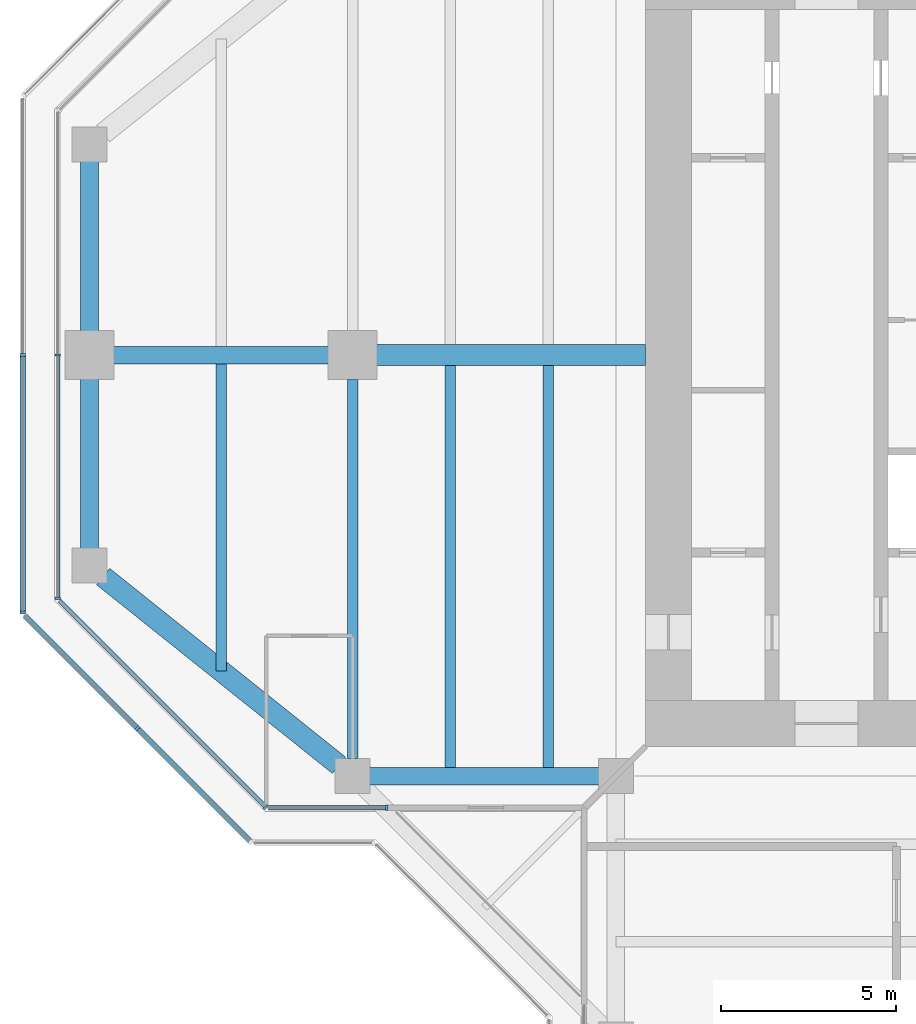
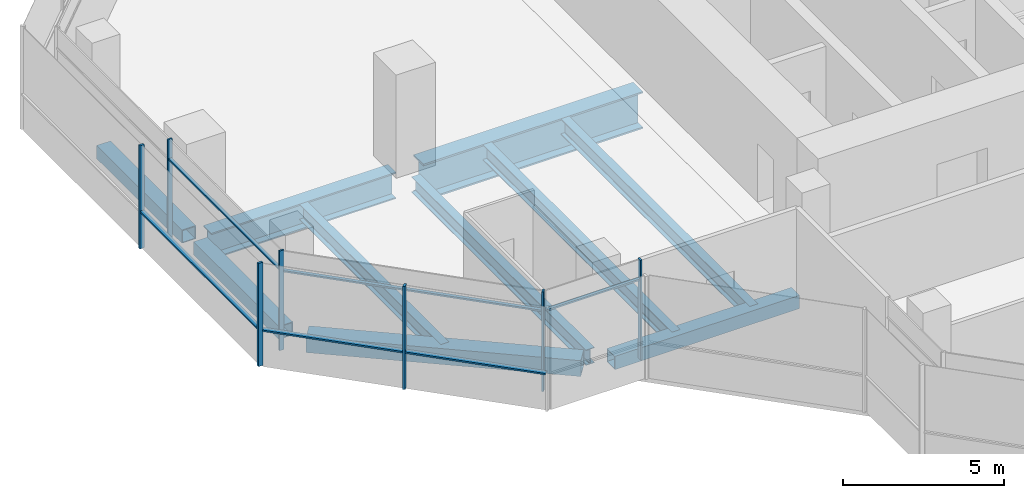
# One storey, part 3 of 15: 13 members, 10 beams, 5 elements without a shape of their own.
"""IFC4 building model written with IfcOpenShell, lengths in metres."""

import ifcopenshell
import ifcopenshell.guid

model = None  # the IFC model being written
_history = None  # IfcOwnerHistory: only IFC2X3 demands one
_inside = {}  # id of a spatial element -> (the spatial element, [elements in it])
_under = {}  # id of a project, library or spatial element -> (it, [spatial elements below it])
_declared = {}  # id of a project -> (the project, [libraries it declares])
_typed = {}  # id of a type object -> (the type object, [elements of that type])
_made_of = {}  # id of a material, layer set ... -> (it, [elements and type objects made of it])


def new_model(schema):
    """Start an empty IFC model of exactly this schema.

    Asked for "IFC4X3", IfcOpenShell would pick the latest addendum, in which some entities
    have other attributes; the version numbers below select the first issue.
    IFC2X3 requires an IfcOwnerHistory on every rooted entity: one is made here for all.
    """
    global model, _history
    if schema == "IFC4X3":
        model = ifcopenshell.file(schema_version=(4, 3, 0, 0))
    else:
        model = ifcopenshell.file(schema=schema)
    _inside.clear()
    _under.clear()
    _declared.clear()
    _typed.clear()
    _made_of.clear()
    _history = None
    if model.schema == "IFC2X3":
        org = make("IfcOrganization", Name="unknown")
        user = make(
            "IfcPersonAndOrganization",
            ThePerson=make("IfcPerson", FamilyName="unknown"),
            TheOrganization=org,
        )
        app = make(
            "IfcApplication",
            ApplicationDeveloper=org,
            Version="unknown",
            ApplicationFullName="unknown",
            ApplicationIdentifier="unknown",
        )
        _history = make(
            "IfcOwnerHistory",
            OwningUser=user,
            OwningApplication=app,
            ChangeAction="ADDED",
            CreationDate=0,
        )
    return model


def make(cls, **values):
    """One entity of the class cls with the attributes given. An attribute that is None is left unset."""
    return model.create_entity(
        cls, **{name: value for name, value in values.items() if value is not None}
    )


def rooted(cls, **values):
    """An entity with a GlobalId (a new one), such as an element, a storey or a relation."""
    return make(cls, GlobalId=ifcopenshell.guid.new(), OwnerHistory=_history, **values)


def si_unit(unit_type, name, prefix=None):
    """IfcSIUnit, for example si_unit("LENGTHUNIT", "METRE", prefix="MILLI")."""
    return make("IfcSIUnit", UnitType=unit_type, Prefix=prefix, Name=name)


def assignment(units):
    """IfcUnitAssignment: the units of a project."""
    return None if units is None else make("IfcUnitAssignment", Units=units)


def point(xyz):
    """IfcCartesianPoint."""
    return None if xyz is None else make("IfcCartesianPoint", Coordinates=xyz)


def direction(xyz):
    """IfcDirection."""
    return None if xyz is None else make("IfcDirection", DirectionRatios=xyz)


def frame(location, z_axis=None, x_axis=None):
    """IfcAxis2Placement3D, a coordinate frame: its origin and axes. An axis left out is left unset."""
    return make(
        "IfcAxis2Placement3D",
        Location=point(location),
        Axis=direction(z_axis),
        RefDirection=direction(x_axis),
    )


def frame_2d(location, x_axis=None):
    """IfcAxis2Placement2D, a coordinate frame in the plane: its origin and x axis."""
    return make(
        "IfcAxis2Placement2D", Location=point(location), RefDirection=direction(x_axis)
    )


def origin():
    """The frame at (0, 0, 0) with its axes left unset."""
    return frame((0.0, 0.0, 0.0))


def origin_2d():
    """The frame at (0, 0) in the plane with its x axis left unset."""
    return frame_2d((0.0, 0.0))


def place(relative_to, where):
    """IfcLocalPlacement: puts the frame where relative to a parent placement (None: the world)."""
    return make(
        "IfcLocalPlacement", PlacementRelTo=relative_to, RelativePlacement=where
    )


def context(
    kind, dimensions, precision=None, world=None, true_north=None, identifier=None
):
    """IfcGeometricRepresentationContext, for example the 3D "Model" context."""
    return make(
        "IfcGeometricRepresentationContext",
        ContextIdentifier=identifier,
        ContextType=kind,
        CoordinateSpaceDimension=dimensions,
        Precision=precision,
        WorldCoordinateSystem=world,
        TrueNorth=true_north,
    )


def subcontext(parent, identifier, kind, view, scale=None):
    """IfcGeometricRepresentationSubContext, for example "Body" below "Model"."""
    return make(
        "IfcGeometricRepresentationSubContext",
        ContextIdentifier=identifier,
        ContextType=kind,
        ParentContext=parent,
        TargetScale=scale,
        TargetView=view,
    )


def project(units=None, contexts=None):
    """IfcProject with its units and contexts."""
    return rooted(
        "IfcProject",
        Name="project",
        RepresentationContexts=contexts,
        UnitsInContext=assignment(units),
    )


def spatial(cls, under=None, at=None, **own):
    """A site, building, storey or space (cls), placed at a placement, below another one or the project."""
    s = rooted(cls, ObjectPlacement=at, **own)
    if under is not None:
        _under.setdefault(under.id(), (under, []))[1].append(s)
    return s


def profile(cls, at=None, kind="AREA", **sizes):
    """A parametric profile (cls). Its sizes go by their IFC names, for example OverallWidth=200.0."""
    return make(cls, ProfileType=kind, Position=at, **sizes)


def rectangle(**sizes):
    """IfcRectangleProfileDef."""
    return profile("IfcRectangleProfileDef", **sizes)


def hollow_rectangle(**sizes):
    """IfcRectangleHollowProfileDef."""
    return profile("IfcRectangleHollowProfileDef", **sizes)


def i_section(**sizes):
    """IfcIShapeProfileDef."""
    return profile("IfcIShapeProfileDef", **sizes)


def extrude(swept, where, along, depth):
    """IfcExtrudedAreaSolid: the profile swept, set in the frame where, extruded along a direction by depth."""
    return make(
        "IfcExtrudedAreaSolid",
        SweptArea=swept,
        Position=where,
        ExtrudedDirection=direction(along),
        Depth=depth,
    )


def shape(context_of_items, identifier, shape_type, items):
    """IfcShapeRepresentation: the items that make up one representation, for example the "Body"."""
    return make(
        "IfcShapeRepresentation",
        ContextOfItems=context_of_items,
        RepresentationIdentifier=identifier,
        RepresentationType=shape_type,
        Items=items,
    )


def material(Name=None, Category=None):
    """IfcMaterial."""
    return make("IfcMaterial", Name=Name, Category=Category)


def material_profile(
    of_material, cross_section, Name=None, Category=None, Priority=None
):
    """IfcMaterialProfile: a cross section and its material."""
    return make(
        "IfcMaterialProfile",
        Name=Name,
        Material=of_material,
        Profile=cross_section,
        Priority=Priority,
        Category=Category,
    )


def profile_set(profiles, Name=None, composite=None):
    """IfcMaterialProfileSet."""
    return make(
        "IfcMaterialProfileSet",
        Name=Name,
        MaterialProfiles=profiles,
        CompositeProfile=composite,
    )


def made_of(thing, what):
    """Note that an element or type object is made of a material, layer set ...; save() writes the relation."""
    if what is not None:
        _made_of.setdefault(what.id(), (what, []))[1].append(thing)
    return thing


def type_object(cls, material=None, **own):
    """A type object (cls), such as IfcWallType, which elements share."""
    return made_of(rooted(cls, **own), material)


def element(
    cls,
    number,
    at=None,
    inside=None,
    cuts=None,
    type_object=None,
    material=None,
    context=None,
    identifier="Body",
    shape_type=None,
    held_by="IfcProductDefinitionShape",
    body=None,
    shapes=None,
    **own,
):
    """One element of the class cls, such as IfcWall. Its Tag is "e" and its number.

    at: its placement. inside: the storey or other place that contains it. cuts: it is an
    opening in that element (IfcRelVoidsElement). A single representation is given by context,
    identifier, shape_type and body (its items); several are given by shapes. held_by: the class
    of the entity that holds the representations. save() writes the other relations.
    """
    e = rooted(cls, Tag="e%d" % number, ObjectPlacement=at, **own)
    if body is not None:
        shapes = [shape(context, identifier, shape_type, body)]
    if shapes is not None:
        e.Representation = make(held_by, Representations=shapes)
    if inside is not None:
        _inside.setdefault(inside.id(), (inside, []))[1].append(e)
    if cuts is not None:
        rooted(
            "IfcRelVoidsElement", RelatingBuildingElement=cuts, RelatedOpeningElement=e
        )
    if type_object is not None:
        _typed.setdefault(type_object.id(), (type_object, []))[1].append(e)
    return made_of(e, material)


def aggregate(whole, parts):
    """IfcRelAggregates: a whole, such as a stair, and the parts it consists of."""
    return rooted("IfcRelAggregates", RelatingObject=whole, RelatedObjects=parts)


def save(model, path):
    """Write the relations noted so far, then the file.

    IfcRelAggregates (storeys below a building ...), IfcRelContainedInSpatialStructure (elements
    in a storey), IfcRelDefinesByType, IfcRelAssociatesMaterial and IfcRelDeclares: one each for
    every whole, place, type object, material and project.
    """
    for whole, parts in _under.values():
        aggregate(whole, parts)
    for where, things in _inside.values():
        rooted(
            "IfcRelContainedInSpatialStructure",
            RelatedElements=things,
            RelatingStructure=where,
        )
    for kind, things in _typed.values():
        rooted("IfcRelDefinesByType", RelatedObjects=things, RelatingType=kind)
    for what, things in _made_of.values():
        rooted("IfcRelAssociatesMaterial", RelatedObjects=things, RelatingMaterial=what)
    for by, libraries in _declared.values():
        rooted("IfcRelDeclares", RelatingContext=by, RelatedDefinitions=libraries)
    model.write(path)


model = new_model("IFC4")

# Units and contexts
model_context = context("Model", 3, precision=1e-05, world=origin(), true_north=direction((0.0, 1.0)))
body_context = subcontext(model_context, "Body", "Model", "MODEL_VIEW")
ifc_project = project(units=[si_unit("LENGTHUNIT", "METRE"), si_unit("AREAUNIT", "SQUARE_METRE"), si_unit("VOLUMEUNIT", "CUBIC_METRE"), si_unit("PLANEANGLEUNIT", "RADIAN"), si_unit("MASSUNIT", "GRAM", prefix="KILO")], contexts=[model_context])

# Site, building, storey
site_placement = place(None, origin())
site = spatial("IfcSite", under=ifc_project, at=site_placement, CompositionType="ELEMENT")
building_placement = place(site_placement, origin())
building = spatial("IfcBuilding", under=site, at=building_placement, Name="Mizan Broadcast Tower", CompositionType="ELEMENT")
storey_placement = place(building_placement, frame((0.0, 0.0, 282.89990234375)))
storey = spatial("IfcBuildingStorey", under=building, at=storey_placement, Name="L67", CompositionType="ELEMENT", Elevation=282.89990234375)

# Beams
ifc_material_1 = material(Name="Steel S355", Category="steel")
ifc_material_profile_1 = material_profile(ifc_material_1, hollow_rectangle(XDim=0.5, YDim=0.5, WallThickness=0.030029296875, at=origin_2d()), Name="BOX 500x500x30")
ifc_profile_set_1 = profile_set([ifc_material_profile_1], Name="Steel S355")
beam_type_1 = type_object("IfcBeamType", Name="EDGE BEAM BOX 500x500x30", PredefinedType="SPANDREL", material=ifc_profile_set_1)
beam_1_placement = place(storey_placement, frame((-27.0, 5.639892578125, -0.3798828125), z_axis=(0.0, -1.0, 0.0), x_axis=(1.0, 0.0, 0.0)))
element("IfcBeam", 1, at=beam_1_placement, inside=storey, type_object=beam_type_1, Name="Edge beam BOX 500x500x30 L67 west arm", PredefinedType="SPANDREL", context=body_context, shape_type="SweptSolid", body=[
    extrude(hollow_rectangle(XDim=0.5, YDim=0.5, WallThickness=0.030029296875, at=origin_2d()), origin(), (0.0, 0.0, 1.0), 5.27978515625),
])
beam_2_placement = place(storey_placement, frame((-12.449951171875, -12.0, -0.3798828125), z_axis=(-1.0, 0.0, 0.0), x_axis=(0.0, -1.0, 0.0)))
element("IfcBeam", 2, at=beam_2_placement, inside=storey, type_object=beam_type_1, Name="Edge beam BOX 500x500x30 L67 west arm", PredefinedType="SPANDREL", context=body_context, shape_type="SweptSolid", body=[
    extrude(hollow_rectangle(XDim=0.5, YDim=0.5, WallThickness=0.030029296875, at=origin_2d()), origin(), (0.0, 0.0, 1.0), 6.60009765625),
])
beam_3_placement = place(storey_placement, frame((-27.0, -5.639892578125, -0.3798828125), z_axis=(0.0, 1.0, 0.0), x_axis=(-1.0, 0.0, 0.0)))
element("IfcBeam", 3, at=beam_3_placement, inside=storey, type_object=beam_type_1, Name="Edge beam BOX 500x500x30 L67 west arm", PredefinedType="SPANDREL", context=body_context, shape_type="SweptSolid", body=[
    extrude(hollow_rectangle(XDim=0.5, YDim=0.5, WallThickness=0.030029296875, at=origin_2d()), origin(), (0.0, 0.0, 1.0), 5.27978515625),
])
ifc_material_2 = material(Name="Steel S355", Category="steel")
ifc_material_profile_2 = material_profile(ifc_material_2, hollow_rectangle(XDim=0.60009765625, YDim=0.60009765625, WallThickness=0.030029296875, at=origin_2d()), Name="BOX 600x600x30")
ifc_profile_set_2 = profile_set([ifc_material_profile_2], Name="Steel S355")
beam_type_2 = type_object("IfcBeamType", Name="EDGE BEAM BOX 600x600x30", PredefinedType="SPANDREL", material=ifc_profile_set_2)
beam_4_placement = place(storey_placement, frame((-19.890380859375, -11.687744140625, -0.429931640625), z_axis=(-0.780863273348, 0.62470196761, 0.0), x_axis=(-0.62470196761, -0.780863273348, 0.0)))
element("IfcBeam", 4, at=beam_4_placement, inside=storey, type_object=beam_type_2, Name="Edge beam BOX 600x600x30 L67 west arm", PredefinedType="SPANDREL", context=body_context, shape_type="SweptSolid", body=[
    extrude(hollow_rectangle(XDim=0.60009765625, YDim=0.60009765625, WallThickness=0.030029296875, at=origin_2d()), origin(), (0.0, 0.0, 1.0), 8.60498046875),
])
ifc_material_3 = material(Name="Steel S355", Category="steel")
ifc_material_profile_3 = material_profile(ifc_material_3, i_section(OverallWidth=0.300048828125, OverallDepth=0.590087890625, WebThickness=0.012939453125, FlangeThickness=0.02490234375, FilletRadius=0.027099609375, at=origin_2d()), Name="HEA 600")
ifc_profile_set_3 = profile_set([ifc_material_profile_3], Name="Steel S355")
beam_type_3 = type_object("IfcBeamType", Name="GIRDER HEA 600", PredefinedType="BEAM", material=ifc_profile_set_3)
beam_5_placement = place(storey_placement, frame((-19.5, -11.5, -0.4248046875), z_axis=(0.0, 1.0, 0.0), x_axis=(-1.0, 0.0, 0.0)))
element("IfcBeam", 5, at=beam_5_placement, inside=storey, type_object=beam_type_3, Name="Girder HEA 600 L67 west arm", PredefinedType="BEAM", context=body_context, shape_type="SweptSolid", body=[
    extrude(i_section(OverallWidth=0.300048828125, OverallDepth=0.590087890625, WebThickness=0.012939453125, FlangeThickness=0.02490234375, FilletRadius=0.027099609375, at=origin_2d()), origin(), (0.0, 0.0, 1.0), 10.800048828125),
])
ifc_material_4 = material(Name="Steel S460", Category="steel")
ifc_material_profile_4 = material_profile(ifc_material_4, i_section(OverallWidth=0.5, OverallDepth=1.0, WebThickness=0.02490234375, FlangeThickness=0.050048828125, at=origin_2d()), Name="WPG 1000x500")
ifc_profile_set_4 = profile_set([ifc_material_profile_4], Name="Steel S460")
beam_type_4 = type_object("IfcBeamType", Name="GIRDER WPG 1000x500", PredefinedType="BEAM", material=ifc_profile_set_4)
beam_6_placement = place(storey_placement, frame((-19.949951171875, 0.0, -0.6298828125), z_axis=(-1.0, 0.0, 0.0), x_axis=(0.0, -1.0, 0.0)))
element("IfcBeam", 6, at=beam_6_placement, inside=storey, type_object=beam_type_4, Name="Girder WPG 1000x500 L67 west arm", PredefinedType="BEAM", context=body_context, shape_type="SweptSolid", body=[
    extrude(i_section(OverallWidth=0.5, OverallDepth=1.0, WebThickness=0.02490234375, FlangeThickness=0.050048828125, at=origin_2d()), origin(), (0.0, 0.0, 1.0), 6.60009765625),
])
ifc_material_5 = material(Name="Steel S460", Category="steel")
ifc_material_profile_5 = material_profile(ifc_material_5, i_section(OverallWidth=0.60009765625, OverallDepth=1.39990234375, WebThickness=0.02490234375, FlangeThickness=0.06005859375, at=origin_2d()), Name="WPG 1400x600")
ifc_profile_set_5 = profile_set([ifc_material_profile_5], Name="Steel S460")
beam_type_5 = type_object("IfcBeamType", Name="GIRDER WPG 1400x600", PredefinedType="BEAM", material=ifc_profile_set_5)
beam_7_placement = place(storey_placement, frame((-11.14990234375, 0.0, -0.829833984375), z_axis=(-1.0, 0.0, 0.0), x_axis=(0.0, -1.0, 0.0)))
element("IfcBeam", 7, at=beam_7_placement, inside=storey, type_object=beam_type_5, Name="Girder WPG 1400x600 L67 west arm", PredefinedType="BEAM", context=body_context, shape_type="SweptSolid", body=[
    extrude(i_section(OverallWidth=0.60009765625, OverallDepth=1.39990234375, WebThickness=0.02490234375, FlangeThickness=0.06005859375, at=origin_2d()), origin(), (0.0, 0.0, 1.0), 7.84912109375),
])

# Curtain wall, members
ifc_material_6 = material(Name="Aluminium framed glazing", Category="aluminium")
curtain_wall_type_1 = type_object("IfcCurtainWallType", Name="INNER SKIN TOP ZONE", PredefinedType="USERDEFINED", material=ifc_material_6)
curtain_wall_1_placement = place(storey_placement, origin())
curtain_wall_1 = element("IfcCurtainWall", 8, at=curtain_wall_1_placement, inside=storey, type_object=curtain_wall_type_1, Name="Inner skin top zone L67 W end", ObjectType="INNER SKIN TOP ZONE", PredefinedType="USERDEFINED")
ifc_material_7 = material(Name="Aluminium, pale anodised", Category="aluminium")
ifc_material_profile_6 = material_profile(ifc_material_7, rectangle(XDim=0.159912109375, YDim=0.06005859375, at=origin_2d()), Name="MULLION 160x60")
ifc_profile_set_6 = profile_set([ifc_material_profile_6], Name="Aluminium, pale anodised")
member_type_1 = type_object("IfcMemberType", Name="INNER SKIN MULLION 60x160", PredefinedType="MULLION", material=ifc_profile_set_6)
member_1_placement = place(storey_placement, frame((-27.89990234375, 0.0, 0.0), z_axis=(0.0, 0.0, 1.0), x_axis=(1.0, 0.0, 0.0)))
member_1 = element("IfcMember", 9, at=member_1_placement, type_object=member_type_1, Name="Inner skin top zone L67 W end mullion 2", PredefinedType="MULLION", context=body_context, shape_type="SweptSolid", body=[
    extrude(rectangle(XDim=0.159912109375, YDim=0.06005859375, at=origin_2d()), origin(), (0.0, 0.0, 1.0), 3.77001953125),
])
member_2_placement = place(storey_placement, frame((-27.89990234375, -6.928466796875, 0.0), z_axis=(0.0, 0.0, 1.0), x_axis=(1.0, 0.0, 0.0)))
member_2 = element("IfcMember", 10, at=member_2_placement, type_object=member_type_1, Name="Inner skin top zone L67 W end mullion 3", PredefinedType="MULLION", context=body_context, shape_type="SweptSolid", body=[
    extrude(rectangle(XDim=0.159912109375, YDim=0.06005859375, at=origin_2d()), origin(), (0.0, 0.0, 1.0), 3.77001953125),
])

# Curtain wall, member
curtain_wall_2_placement = place(storey_placement, origin())
curtain_wall_2 = element("IfcCurtainWall", 11, at=curtain_wall_2_placement, inside=storey, type_object=curtain_wall_type_1, Name="Inner skin top zone L67 W chamfer", ObjectType="INNER SKIN TOP ZONE", PredefinedType="USERDEFINED")
member_3_placement = place(storey_placement, frame((-21.979736328125, -12.87890625, 0.0), z_axis=(0.0, 0.0, 1.0), x_axis=(0.707106781187, 0.707106781187, 0.0)))
member_3 = element("IfcMember", 12, at=member_3_placement, type_object=member_type_1, Name="Inner skin top zone L67 W chamfer mullion 2", PredefinedType="MULLION", context=body_context, shape_type="SweptSolid", body=[
    extrude(rectangle(XDim=0.159912109375, YDim=0.06005859375, at=origin_2d()), origin(), (0.0, 0.0, 1.0), 3.77001953125),
])

curtain_wall_3_placement = place(storey_placement, origin())
curtain_wall_3 = element("IfcCurtainWall", 13, at=curtain_wall_3_placement, inside=storey, type_object=curtain_wall_type_1, Name="Inner skin top zone L67 W side", ObjectType="INNER SKIN TOP ZONE", PredefinedType="USERDEFINED")
member_4_placement = place(storey_placement, frame((-18.530029296875, -12.89990234375, 0.0), z_axis=(0.0, 0.0, 1.0), x_axis=(0.0, 1.0, 0.0)))
member_4 = element("IfcMember", 14, at=member_4_placement, type_object=member_type_1, Name="Inner skin top zone L67 W side mullion 2", PredefinedType="MULLION", context=body_context, shape_type="SweptSolid", body=[
    extrude(rectangle(XDim=0.159912109375, YDim=0.06005859375, at=origin_2d()), origin(), (0.0, 0.0, 1.0), 3.77001953125),
])

# Member
ifc_material_8 = material(Name="Aluminium, pale anodised", Category="aluminium")
ifc_material_profile_7 = material_profile(ifc_material_8, rectangle(XDim=0.1201171875, YDim=0.06005859375, at=origin_2d()), Name="TRANSOM 120x60")
ifc_profile_set_7 = profile_set([ifc_material_profile_7], Name="Aluminium, pale anodised")
member_type_2 = type_object("IfcMemberType", Name="INNER SKIN TRANSOM 60x120", PredefinedType="USERDEFINED", material=ifc_profile_set_7)
member_5_placement = place(storey_placement, frame((-27.89990234375, -0.030029296875, 3.030029296875), z_axis=(0.0, -1.0, 0.0), x_axis=(1.0, 0.0, 0.0)))
member_5 = element("IfcMember", 15, at=member_5_placement, type_object=member_type_2, Name="Inner skin top zone L67 W end transom 2.1", ObjectType="TRANSOM", PredefinedType="USERDEFINED", context=body_context, shape_type="SweptSolid", body=[
    extrude(rectangle(XDim=0.1201171875, YDim=0.06005859375, at=origin_2d()), origin(), (0.0, 0.0, 1.0), 6.86865234375),
])

aggregate(curtain_wall_1, [member_1, member_2, member_5])

member_6_placement = place(storey_placement, frame((-27.857666015625, -7.0009765625, 3.030029296875), z_axis=(0.707106781187, -0.707106781187, 0.0), x_axis=(0.707106781187, 0.707106781187, 0.0)))
member_6 = element("IfcMember", 16, at=member_6_placement, type_object=member_type_2, Name="Inner skin top zone L67 W chamfer transom 1.1", ObjectType="TRANSOM", PredefinedType="USERDEFINED", context=body_context, shape_type="SweptSolid", body=[
    extrude(rectangle(XDim=0.1201171875, YDim=0.06005859375, at=origin_2d()), origin(), (0.0, 0.0, 1.0), 8.28271484375),
])

aggregate(curtain_wall_2, [member_3, member_6])

member_7_placement = place(storey_placement, frame((-21.898681640625, -12.89990234375, 3.030029296875), z_axis=(1.0, 0.0, 0.0), x_axis=(0.0, 1.0, 0.0)))
member_7 = element("IfcMember", 17, at=member_7_placement, type_object=member_type_2, Name="Inner skin top zone L67 W side transom 1.1", ObjectType="TRANSOM", PredefinedType="USERDEFINED", context=body_context, shape_type="SweptSolid", body=[
    extrude(rectangle(XDim=0.1201171875, YDim=0.06005859375, at=origin_2d()), origin(), (0.0, 0.0, 1.0), 3.338623046875),
])

aggregate(curtain_wall_3, [member_4, member_7])

# Curtain wall, member
ifc_material_9 = material(Name="Aluminium framed glazing", Category="aluminium")
curtain_wall_type_2 = type_object("IfcCurtainWallType", Name="OUTER SKIN", PredefinedType="USERDEFINED", material=ifc_material_9)
curtain_wall_4_placement = place(storey_placement, origin())
curtain_wall_4 = element("IfcCurtainWall", 18, at=curtain_wall_4_placement, inside=storey, type_object=curtain_wall_type_2, Name="Outer skin L67 W chamfer", ObjectType="OUTER SKIN", PredefinedType="USERDEFINED")
ifc_material_10 = material(Name="Aluminium, pale anodised", Category="aluminium")
ifc_material_profile_8 = material_profile(ifc_material_10, rectangle(XDim=0.159912109375, YDim=0.080078125, at=origin_2d()), Name="MULLION 160x80")
ifc_profile_set_8 = profile_set([ifc_material_profile_8], Name="Aluminium, pale anodised")
member_type_3 = type_object("IfcMemberType", Name="OUTER SKIN MULLION 80x160", PredefinedType="MULLION", material=ifc_profile_set_8)
member_8_placement = place(storey_placement, frame((-25.636474609375, -10.636474609375, 0.0), z_axis=(0.0, 0.0, 1.0), x_axis=(0.707106781187, 0.707106781187, 0.0)))
member_8 = element("IfcMember", 19, at=member_8_placement, type_object=member_type_3, Name="Outer skin L67 W chamfer mullion 2", PredefinedType="MULLION", context=body_context, shape_type="SweptSolid", body=[
    extrude(rectangle(XDim=0.159912109375, YDim=0.080078125, at=origin_2d()), origin(), (0.0, 0.0, 1.0), 3.900146484375),
])

# Curtain wall, members
curtain_wall_5_placement = place(storey_placement, origin())
curtain_wall_5 = element("IfcCurtainWall", 20, at=curtain_wall_5_placement, inside=storey, type_object=curtain_wall_type_2, Name="Outer skin L67 W end", ObjectType="OUTER SKIN", PredefinedType="USERDEFINED")
member_9_placement = place(storey_placement, frame((-28.89990234375, 0.0, 0.0), z_axis=(0.0, 0.0, 1.0), x_axis=(1.0, 0.0, 0.0)))
member_9 = element("IfcMember", 21, at=member_9_placement, type_object=member_type_3, Name="Outer skin L67 W end mullion 2", PredefinedType="MULLION", context=body_context, shape_type="SweptSolid", body=[
    extrude(rectangle(XDim=0.159912109375, YDim=0.080078125, at=origin_2d()), origin(), (0.0, 0.0, 1.0), 3.900146484375),
])
member_10_placement = place(storey_placement, frame((-28.89990234375, -7.332763671875, 0.0), z_axis=(0.0, 0.0, 1.0), x_axis=(1.0, 0.0, 0.0)))
member_10 = element("IfcMember", 22, at=member_10_placement, type_object=member_type_3, Name="Outer skin L67 W end mullion 3", PredefinedType="MULLION", context=body_context, shape_type="SweptSolid", body=[
    extrude(rectangle(XDim=0.159912109375, YDim=0.080078125, at=origin_2d()), origin(), (0.0, 0.0, 1.0), 3.900146484375),
])

# Member
ifc_material_11 = material(Name="Aluminium, pale anodised", Category="aluminium")
ifc_material_profile_9 = material_profile(ifc_material_11, rectangle(XDim=0.159912109375, YDim=0.06005859375, at=origin_2d()), Name="TRANSOM 160x60")
ifc_profile_set_9 = profile_set([ifc_material_profile_9], Name="Aluminium, pale anodised")
member_type_4 = type_object("IfcMemberType", Name="OUTER SKIN TRANSOM 60x160", PredefinedType="USERDEFINED", material=ifc_profile_set_9)
member_11_placement = place(storey_placement, frame((-28.843505859375, -7.429443359375, 1.400146484375), z_axis=(0.707106781187, -0.707106781187, 0.0), x_axis=(0.707106781187, 0.707106781187, 0.0)))
member_11 = element("IfcMember", 23, at=member_11_placement, type_object=member_type_4, Name="Outer skin L67 W chamfer transom 1.1", ObjectType="TRANSOM", PredefinedType="USERDEFINED", context=body_context, shape_type="SweptSolid", body=[
    extrude(rectangle(XDim=0.159912109375, YDim=0.06005859375, at=origin_2d()), origin(), (0.0, 0.0, 1.0), 4.495361328125),
])

member_12_placement = place(storey_placement, frame((-25.608154296875, -10.664794921875, 1.400146484375), z_axis=(0.707106781187, -0.707106781187, 0.0), x_axis=(0.707106781187, 0.707106781187, 0.0)))
member_12 = element("IfcMember", 24, at=member_12_placement, type_object=member_type_4, Name="Outer skin L67 W chamfer transom 2.1", ObjectType="TRANSOM", PredefinedType="USERDEFINED", context=body_context, shape_type="SweptSolid", body=[
    extrude(rectangle(XDim=0.159912109375, YDim=0.06005859375, at=origin_2d()), origin(), (0.0, 0.0, 1.0), 4.495361328125),
])

aggregate(curtain_wall_4, [member_8, member_11, member_12])

member_13_placement = place(storey_placement, frame((-28.89990234375, -0.0400390625, 1.400146484375), z_axis=(0.0, -1.0, 0.0), x_axis=(1.0, 0.0, 0.0)))
member_13 = element("IfcMember", 25, at=member_13_placement, type_object=member_type_4, Name="Outer skin L67 W end transom 2.1", ObjectType="TRANSOM", PredefinedType="USERDEFINED", context=body_context, shape_type="SweptSolid", body=[
    extrude(rectangle(XDim=0.159912109375, YDim=0.06005859375, at=origin_2d()), origin(), (0.0, 0.0, 1.0), 7.252685546875),
])

aggregate(curtain_wall_5, [member_9, member_10, member_13])

# Beams
ifc_material_12 = material(Name="Steel S355", Category="steel")
ifc_material_profile_10 = material_profile(ifc_material_12, i_section(OverallWidth=0.300048828125, OverallDepth=0.590087890625, WebThickness=0.012939453125, FlangeThickness=0.02490234375, FilletRadius=0.027099609375, at=origin_2d()), Name="HEA 600")
ifc_profile_set_10 = profile_set([ifc_material_profile_10], Name="Steel S355")
beam_type_6 = type_object("IfcBeamType", Name="SECONDARY BEAM HEA 600", PredefinedType="JOIST", material=ifc_profile_set_10)
for number, where, z_axis, x_axis, name in (
    (26, (-13.933349609375, -12.0, -0.4248046875), (0.0, 1.0, 0.0), (-1.0, 0.0, 0.0), "Secondary beam HEA 600 L67 west arm"),
    (27, (-16.716552734375, -12.0, -0.4248046875), (0.0, 1.0, 0.0), (-1.0, 0.0, 0.0), "Secondary beam HEA 600 L67 west arm"),
):
    element("IfcBeam", number, at=place(storey_placement, frame(where, z_axis=z_axis, x_axis=x_axis)), inside=storey, type_object=beam_type_6, Name=name, PredefinedType="JOIST", context=body_context, shape_type="SweptSolid", body=[
        extrude(i_section(OverallWidth=0.300048828125, OverallDepth=0.590087890625, WebThickness=0.012939453125, FlangeThickness=0.02490234375, FilletRadius=0.027099609375, at=origin_2d()), origin(), (0.0, 0.0, 1.0), 11.699951171875),
    ])
beam_8_placement = place(storey_placement, frame((-23.25, -9.0, -0.4248046875), z_axis=(0.0, 1.0, 0.0), x_axis=(-1.0, 0.0, 0.0)))
element("IfcBeam", 28, at=beam_8_placement, inside=storey, type_object=beam_type_6, Name="Secondary beam HEA 600 L67 west arm", PredefinedType="JOIST", context=body_context, shape_type="SweptSolid", body=[
    extrude(i_section(OverallWidth=0.300048828125, OverallDepth=0.590087890625, WebThickness=0.012939453125, FlangeThickness=0.02490234375, FilletRadius=0.027099609375, at=origin_2d()), origin(), (0.0, 0.0, 1.0), 8.75),
])

save(model, "model.ifc")
